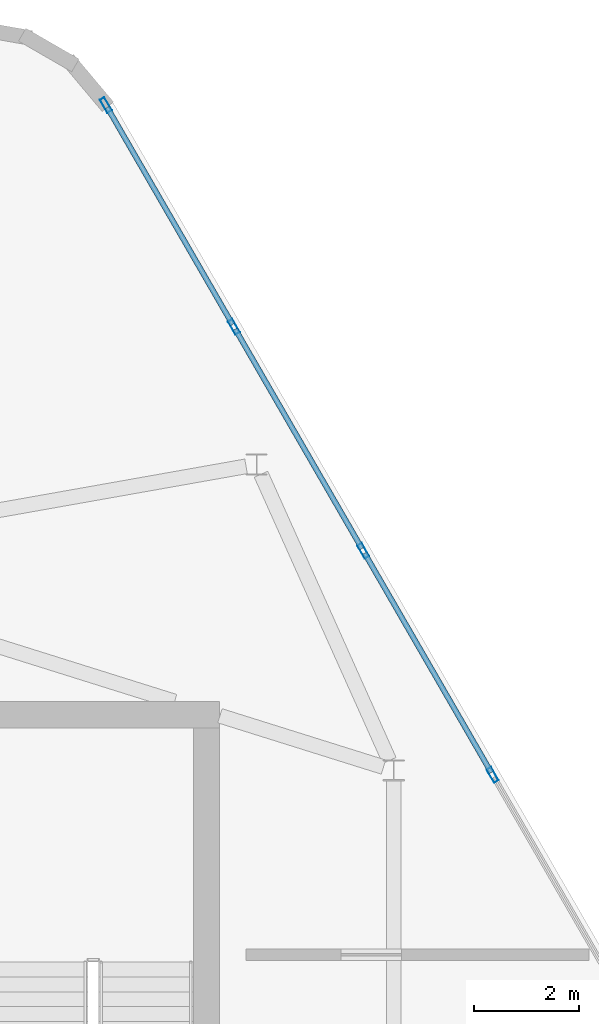
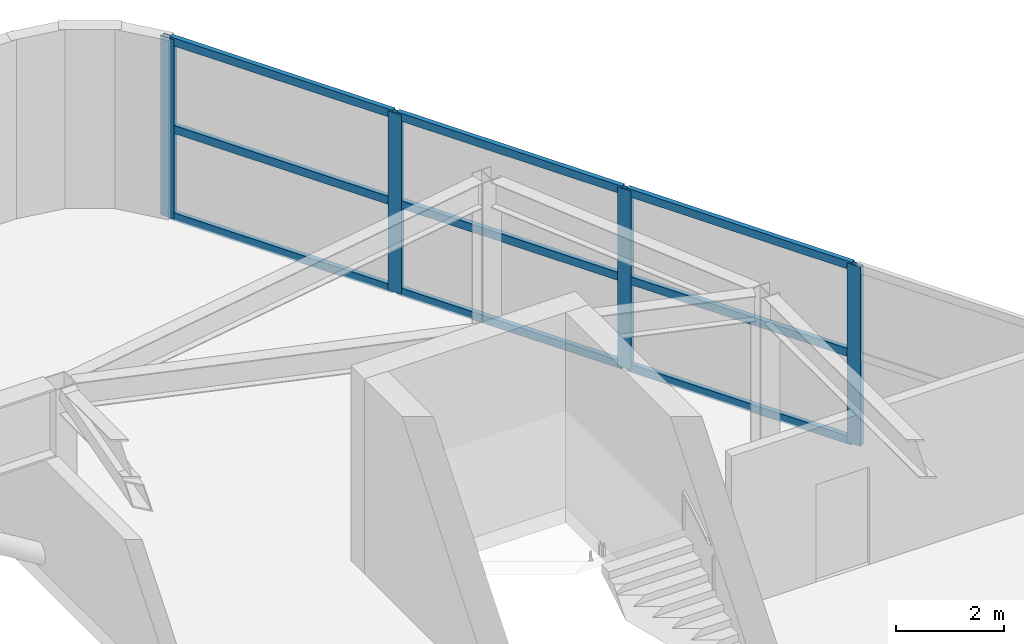
# One storey, part 12 of 16: 13 members, 1 element without a shape of its own.
"""IFC4 building model written with IfcOpenShell, lengths in metres."""

from ifc_helpers import new_model, si_unit, direction, frame, origin, origin_2d, place, context, subcontext, project, spatial, hollow_rectangle, extrude, material, material_profile, profile_set, type_object, element, aggregate, save


model = new_model("IFC4")

# Units and contexts
model_context = context("Model", 3, precision=1e-05, world=origin(), true_north=direction((0.0, 1.0)))
body_context = subcontext(model_context, "Body", "Model", "MODEL_VIEW")
ifc_project = project(units=[si_unit("LENGTHUNIT", "METRE"), si_unit("AREAUNIT", "SQUARE_METRE"), si_unit("VOLUMEUNIT", "CUBIC_METRE"), si_unit("PLANEANGLEUNIT", "RADIAN"), si_unit("MASSUNIT", "GRAM", prefix="KILO")], contexts=[model_context])

# Site, building, storey
site_placement = place(None, origin())
site = spatial("IfcSite", under=ifc_project, at=site_placement, CompositionType="ELEMENT")
building_placement = place(site_placement, origin())
building = spatial("IfcBuilding", under=site, at=building_placement, Name="Zuhravey Tower", CompositionType="ELEMENT")
storey_placement = place(building_placement, frame((0.0, 0.0, 374.60009765625)))
storey = spatial("IfcBuildingStorey", under=building, at=storey_placement, Name="L95", CompositionType="ELEMENT", Elevation=374.60009765625)

# Curtain wall, members
ifc_material_1 = material(Name="Thermally broken anodised aluminium", Category="aluminium")
curtain_wall_type = type_object("IfcCurtainWallType", Name="Split-Top Crown Screened Curtain Wall CW6", PredefinedType="NOTDEFINED", material=ifc_material_1)
curtain_wall_placement = place(storey_placement, origin())
curtain_wall = element("IfcCurtainWall", 1, at=curtain_wall_placement, inside=storey, type_object=curtain_wall_type, Name="L95 CW6 CW6-L95-EAST-04", PredefinedType="NOTDEFINED")
ifc_material_2 = material(Name="Anodised aluminium", Category="aluminium")
ifc_material_profile_1 = material_profile(ifc_material_2, hollow_rectangle(XDim=0.10009765625, YDim=0.2900390625, WallThickness=0.006103515625, at=origin_2d()), Name="ALU-RHS-100x290x6")
ifc_profile_set_1 = profile_set([ifc_material_profile_1], Name="Anodised aluminium")
member_type_1 = type_object("IfcMemberType", Name="Heavy Tall-Storey Mullion 100x220", PredefinedType="MULLION", material=ifc_profile_set_1)
member_1_placement = place(storey_placement, frame((50.741455078125, 54.615234375, 0.0), z_axis=(0.0, 0.0, 1.0), x_axis=(0.866027063754, 0.499997124838, 0.0)))
member_1 = element("IfcMember", 2, at=member_1_placement, type_object=member_type_1, Name="CW6 mullion 1", PredefinedType="MULLION", context=body_context, shape_type="SweptSolid", body=[
    extrude(hollow_rectangle(XDim=0.10009765625, YDim=0.2900390625, WallThickness=0.006103515625, at=origin_2d()), origin(), (0.0, 0.0, 1.0), 4.0498046875),
])
member_2_placement = place(storey_placement, frame((53.16943359375, 50.409912109375, 0.0), z_axis=(0.0, 0.0, 1.0), x_axis=(0.866027063754, 0.499997124838, 0.0)))
member_2 = element("IfcMember", 3, at=member_2_placement, type_object=member_type_1, Name="CW6 mullion 2", PredefinedType="MULLION", context=body_context, shape_type="SweptSolid", body=[
    extrude(hollow_rectangle(XDim=0.10009765625, YDim=0.2900390625, WallThickness=0.006103515625, at=origin_2d()), origin(), (0.0, 0.0, 1.0), 4.0498046875),
])
member_3_placement = place(storey_placement, frame((55.622314453125, 46.161376953125, 0.0), z_axis=(0.0, 0.0, 1.0), x_axis=(0.866027063754, 0.499997124838, 0.0)))
member_3 = element("IfcMember", 4, at=member_3_placement, type_object=member_type_1, Name="CW6 mullion 3", PredefinedType="MULLION", context=body_context, shape_type="SweptSolid", body=[
    extrude(hollow_rectangle(XDim=0.10009765625, YDim=0.2900390625, WallThickness=0.006103515625, at=origin_2d()), origin(), (0.0, 0.0, 1.0), 4.0498046875),
])
member_4_placement = place(storey_placement, frame((58.0751953125, 41.912841796875, 0.0), z_axis=(0.0, 0.0, 1.0), x_axis=(0.866027063754, 0.499997124838, 0.0)))
member_4 = element("IfcMember", 5, at=member_4_placement, type_object=member_type_1, Name="CW6 mullion 4", PredefinedType="MULLION", context=body_context, shape_type="SweptSolid", body=[
    extrude(hollow_rectangle(XDim=0.10009765625, YDim=0.2900390625, WallThickness=0.006103515625, at=origin_2d()), origin(), (0.0, 0.0, 1.0), 4.0498046875),
])
ifc_material_profile_2 = material_profile(ifc_material_2, hollow_rectangle(XDim=0.10009765625, YDim=0.179931640625, WallThickness=0.006103515625, at=origin_2d()), Name="ALU-RHS-100x180x6")
ifc_profile_set_2 = profile_set([ifc_material_profile_2], Name="Anodised aluminium")
member_type_2 = type_object("IfcMemberType", Name="Tall-Storey Transom 100x180", PredefinedType="USERDEFINED", material=ifc_profile_set_2)
member_5_placement = place(storey_placement, frame((50.7666015625, 54.57177734375, 0.0498046875), z_axis=(0.499965384433, -0.866045388169, 0.0), x_axis=(0.866045388169, 0.499965384433, 0.0)))
member_5 = element("IfcMember", 6, at=member_5_placement, type_object=member_type_2, Name="CW6 transom 1.1", ObjectType="TRANSOM", PredefinedType="USERDEFINED", context=body_context, shape_type="SweptSolid", body=[
    extrude(hollow_rectangle(XDim=0.10009765625, YDim=0.179931640625, WallThickness=0.006103515625, at=origin_2d()), origin(), (0.0, 0.0, 1.0), 4.755615234375),
])
member_6_placement = place(storey_placement, frame((50.7666015625, 54.57177734375, 2.02490234375), z_axis=(0.499965384433, -0.866045388169, 0.0), x_axis=(0.866045388169, 0.499965384433, 0.0)))
member_6 = element("IfcMember", 7, at=member_6_placement, type_object=member_type_2, Name="CW6 transom 1.2", ObjectType="TRANSOM", PredefinedType="USERDEFINED", context=body_context, shape_type="SweptSolid", body=[
    extrude(hollow_rectangle(XDim=0.10009765625, YDim=0.179931640625, WallThickness=0.006103515625, at=origin_2d()), origin(), (0.0, 0.0, 1.0), 4.755615234375),
])
member_7_placement = place(storey_placement, frame((50.7666015625, 54.57177734375, 4.0), z_axis=(0.499965384433, -0.866045388169, 0.0), x_axis=(0.866045388169, 0.499965384433, 0.0)))
member_7 = element("IfcMember", 8, at=member_7_placement, type_object=member_type_2, Name="CW6 transom 1.3", ObjectType="TRANSOM", PredefinedType="USERDEFINED", context=body_context, shape_type="SweptSolid", body=[
    extrude(hollow_rectangle(XDim=0.10009765625, YDim=0.179931640625, WallThickness=0.006103515625, at=origin_2d()), origin(), (0.0, 0.0, 1.0), 4.755615234375),
])
member_8_placement = place(storey_placement, frame((53.1943359375, 50.36669921875, 0.0498046875), z_axis=(0.500012672123, -0.866018087407, 0.0), x_axis=(0.866018087407, 0.500012672123, 0.0)))
member_8 = element("IfcMember", 9, at=member_8_placement, type_object=member_type_2, Name="CW6 transom 2.1", ObjectType="TRANSOM", PredefinedType="USERDEFINED", context=body_context, shape_type="SweptSolid", body=[
    extrude(hollow_rectangle(XDim=0.10009765625, YDim=0.179931640625, WallThickness=0.006103515625, at=origin_2d()), origin(), (0.0, 0.0, 1.0), 4.80615234375),
])
member_9_placement = place(storey_placement, frame((53.1943359375, 50.36669921875, 2.02490234375), z_axis=(0.500012672123, -0.866018087407, 0.0), x_axis=(0.866018087407, 0.500012672123, 0.0)))
member_9 = element("IfcMember", 10, at=member_9_placement, type_object=member_type_2, Name="CW6 transom 2.2", ObjectType="TRANSOM", PredefinedType="USERDEFINED", context=body_context, shape_type="SweptSolid", body=[
    extrude(hollow_rectangle(XDim=0.10009765625, YDim=0.179931640625, WallThickness=0.006103515625, at=origin_2d()), origin(), (0.0, 0.0, 1.0), 4.80615234375),
])
member_10_placement = place(storey_placement, frame((53.1943359375, 50.36669921875, 4.0), z_axis=(0.500012672123, -0.866018087407, 0.0), x_axis=(0.866018087407, 0.500012672123, 0.0)))
member_10 = element("IfcMember", 11, at=member_10_placement, type_object=member_type_2, Name="CW6 transom 2.3", ObjectType="TRANSOM", PredefinedType="USERDEFINED", context=body_context, shape_type="SweptSolid", body=[
    extrude(hollow_rectangle(XDim=0.10009765625, YDim=0.179931640625, WallThickness=0.006103515625, at=origin_2d()), origin(), (0.0, 0.0, 1.0), 4.80615234375),
])
member_11_placement = place(storey_placement, frame((55.647216796875, 46.117919921875, 0.0498046875), z_axis=(0.50003466983, -0.866005386223, 0.0), x_axis=(0.866005386223, 0.50003466983, 0.0)))
member_11 = element("IfcMember", 12, at=member_11_placement, type_object=member_type_2, Name="CW6 transom 3.1", ObjectType="TRANSOM", PredefinedType="USERDEFINED", context=body_context, shape_type="SweptSolid", body=[
    extrude(hollow_rectangle(XDim=0.10009765625, YDim=0.179931640625, WallThickness=0.006103515625, at=origin_2d()), origin(), (0.0, 0.0, 1.0), 4.805908203125),
])
member_12_placement = place(storey_placement, frame((55.647216796875, 46.117919921875, 2.02490234375), z_axis=(0.50003466983, -0.866005386223, 0.0), x_axis=(0.866005386223, 0.50003466983, 0.0)))
member_12 = element("IfcMember", 13, at=member_12_placement, type_object=member_type_2, Name="CW6 transom 3.2", ObjectType="TRANSOM", PredefinedType="USERDEFINED", context=body_context, shape_type="SweptSolid", body=[
    extrude(hollow_rectangle(XDim=0.10009765625, YDim=0.179931640625, WallThickness=0.006103515625, at=origin_2d()), origin(), (0.0, 0.0, 1.0), 4.805908203125),
])
member_13_placement = place(storey_placement, frame((55.647216796875, 46.117919921875, 4.0), z_axis=(0.50003466983, -0.866005386223, 0.0), x_axis=(0.866005386223, 0.50003466983, 0.0)))
member_13 = element("IfcMember", 14, at=member_13_placement, type_object=member_type_2, Name="CW6 transom 3.3", ObjectType="TRANSOM", PredefinedType="USERDEFINED", context=body_context, shape_type="SweptSolid", body=[
    extrude(hollow_rectangle(XDim=0.10009765625, YDim=0.179931640625, WallThickness=0.006103515625, at=origin_2d()), origin(), (0.0, 0.0, 1.0), 4.805908203125),
])
aggregate(curtain_wall, [member_1, member_2, member_3, member_4, member_5, member_6, member_7, member_8, member_9, member_10, member_11, member_12, member_13])

save(model, "model.ifc")
